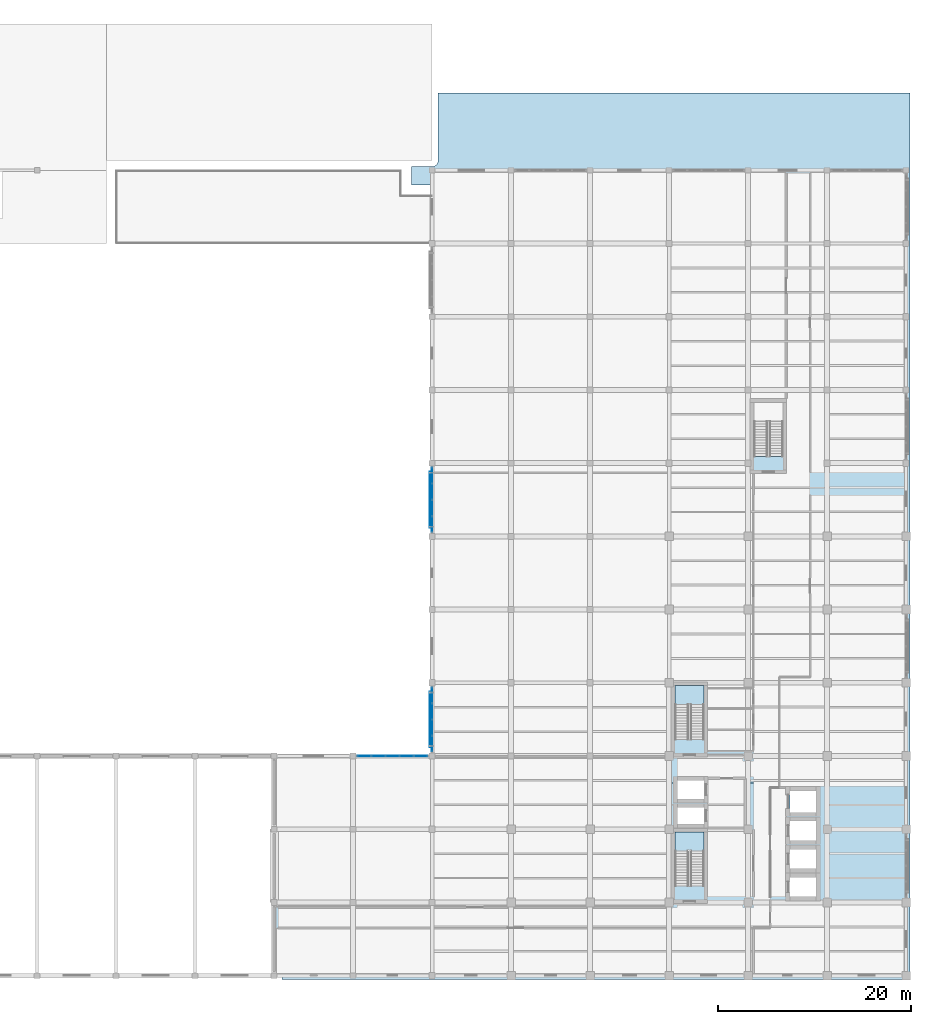
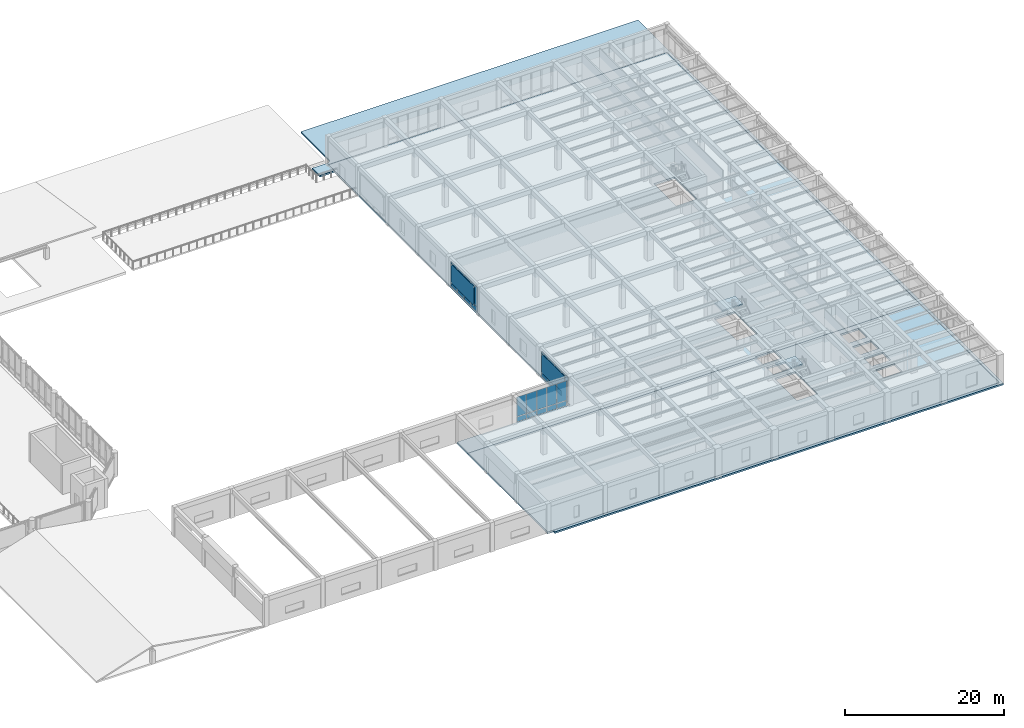
# One storey, part 29 of 49: 28 plates, 5 slabs, 5 elements without a shape of their own.
"""IFC4 building model written with IfcOpenShell, lengths in metres."""

import ifcopenshell
import ifcopenshell.guid

model = None  # the IFC model being written
_history = None  # IfcOwnerHistory: only IFC2X3 demands one
_inside = {}  # id of a spatial element -> (the spatial element, [elements in it])
_under = {}  # id of a project, library or spatial element -> (it, [spatial elements below it])
_declared = {}  # id of a project -> (the project, [libraries it declares])
_typed = {}  # id of a type object -> (the type object, [elements of that type])
_made_of = {}  # id of a material, layer set ... -> (it, [elements and type objects made of it])


def new_model(schema):
    """Start an empty IFC model of exactly this schema.

    Asked for "IFC4X3", IfcOpenShell would pick the latest addendum, in which some entities
    have other attributes; the version numbers below select the first issue.
    IFC2X3 requires an IfcOwnerHistory on every rooted entity: one is made here for all.
    """
    global model, _history
    if schema == "IFC4X3":
        model = ifcopenshell.file(schema_version=(4, 3, 0, 0))
    else:
        model = ifcopenshell.file(schema=schema)
    _inside.clear()
    _under.clear()
    _declared.clear()
    _typed.clear()
    _made_of.clear()
    _history = None
    if model.schema == "IFC2X3":
        org = make("IfcOrganization", Name="unknown")
        user = make(
            "IfcPersonAndOrganization",
            ThePerson=make("IfcPerson", FamilyName="unknown"),
            TheOrganization=org,
        )
        app = make(
            "IfcApplication",
            ApplicationDeveloper=org,
            Version="unknown",
            ApplicationFullName="unknown",
            ApplicationIdentifier="unknown",
        )
        _history = make(
            "IfcOwnerHistory",
            OwningUser=user,
            OwningApplication=app,
            ChangeAction="ADDED",
            CreationDate=0,
        )
    return model


def make(cls, **values):
    """One entity of the class cls with the attributes given. An attribute that is None is left unset."""
    return model.create_entity(
        cls, **{name: value for name, value in values.items() if value is not None}
    )


def rooted(cls, **values):
    """An entity with a GlobalId (a new one), such as an element, a storey or a relation."""
    return make(cls, GlobalId=ifcopenshell.guid.new(), OwnerHistory=_history, **values)


def si_unit(unit_type, name, prefix=None):
    """IfcSIUnit, for example si_unit("LENGTHUNIT", "METRE", prefix="MILLI")."""
    return make("IfcSIUnit", UnitType=unit_type, Prefix=prefix, Name=name)


def assignment(units):
    """IfcUnitAssignment: the units of a project."""
    return None if units is None else make("IfcUnitAssignment", Units=units)


def point(xyz):
    """IfcCartesianPoint."""
    return None if xyz is None else make("IfcCartesianPoint", Coordinates=xyz)


def direction(xyz):
    """IfcDirection."""
    return None if xyz is None else make("IfcDirection", DirectionRatios=xyz)


def frame(location, z_axis=None, x_axis=None):
    """IfcAxis2Placement3D, a coordinate frame: its origin and axes. An axis left out is left unset."""
    return make(
        "IfcAxis2Placement3D",
        Location=point(location),
        Axis=direction(z_axis),
        RefDirection=direction(x_axis),
    )


def frame_2d(location, x_axis=None):
    """IfcAxis2Placement2D, a coordinate frame in the plane: its origin and x axis."""
    return make(
        "IfcAxis2Placement2D", Location=point(location), RefDirection=direction(x_axis)
    )


def origin():
    """The frame at (0, 0, 0) with its axes left unset."""
    return frame((0.0, 0.0, 0.0))


def origin_2d():
    """The frame at (0, 0) in the plane with its x axis left unset."""
    return frame_2d((0.0, 0.0))


def place(relative_to, where):
    """IfcLocalPlacement: puts the frame where relative to a parent placement (None: the world)."""
    return make(
        "IfcLocalPlacement", PlacementRelTo=relative_to, RelativePlacement=where
    )


def context(
    kind, dimensions, precision=None, world=None, true_north=None, identifier=None
):
    """IfcGeometricRepresentationContext, for example the 3D "Model" context."""
    return make(
        "IfcGeometricRepresentationContext",
        ContextIdentifier=identifier,
        ContextType=kind,
        CoordinateSpaceDimension=dimensions,
        Precision=precision,
        WorldCoordinateSystem=world,
        TrueNorth=true_north,
    )


def subcontext(parent, identifier, kind, view, scale=None):
    """IfcGeometricRepresentationSubContext, for example "Body" below "Model"."""
    return make(
        "IfcGeometricRepresentationSubContext",
        ContextIdentifier=identifier,
        ContextType=kind,
        ParentContext=parent,
        TargetScale=scale,
        TargetView=view,
    )


def project(units=None, contexts=None):
    """IfcProject with its units and contexts."""
    return rooted(
        "IfcProject",
        Name="project",
        RepresentationContexts=contexts,
        UnitsInContext=assignment(units),
    )


def spatial(cls, under=None, at=None, **own):
    """A site, building, storey or space (cls), placed at a placement, below another one or the project."""
    s = rooted(cls, ObjectPlacement=at, **own)
    if under is not None:
        _under.setdefault(under.id(), (under, []))[1].append(s)
    return s


def polyline(points):
    """IfcPolyline through the points."""
    return make("IfcPolyline", Points=[point(p) for p in points])


def profile(cls, at=None, kind="AREA", **sizes):
    """A parametric profile (cls). Its sizes go by their IFC names, for example OverallWidth=200.0."""
    return make(cls, ProfileType=kind, Position=at, **sizes)


def rectangle(**sizes):
    """IfcRectangleProfileDef."""
    return profile("IfcRectangleProfileDef", **sizes)


def outline(outer, holes=None, kind="AREA"):
    """IfcArbitraryClosedProfileDef: a profile drawn as a closed curve; with holes, ...WithVoids."""
    if holes is None:
        return make("IfcArbitraryClosedProfileDef", ProfileType=kind, OuterCurve=outer)
    return make(
        "IfcArbitraryProfileDefWithVoids",
        ProfileType=kind,
        OuterCurve=outer,
        InnerCurves=holes,
    )


def extrude(swept, where, along, depth):
    """IfcExtrudedAreaSolid: the profile swept, set in the frame where, extruded along a direction by depth."""
    return make(
        "IfcExtrudedAreaSolid",
        SweptArea=swept,
        Position=where,
        ExtrudedDirection=direction(along),
        Depth=depth,
    )


def shape(context_of_items, identifier, shape_type, items):
    """IfcShapeRepresentation: the items that make up one representation, for example the "Body"."""
    return make(
        "IfcShapeRepresentation",
        ContextOfItems=context_of_items,
        RepresentationIdentifier=identifier,
        RepresentationType=shape_type,
        Items=items,
    )


def material(Name=None, Category=None):
    """IfcMaterial."""
    return make("IfcMaterial", Name=Name, Category=Category)


def layer(
    of_material, thickness, ventilated=None, Name=None, Category=None, Priority=None
):
    """IfcMaterialLayer: one layer of a wall or slab, of a material (None: an air gap)."""
    return make(
        "IfcMaterialLayer",
        Material=of_material,
        LayerThickness=thickness,
        IsVentilated=ventilated,
        Name=Name,
        Category=Category,
        Priority=Priority,
    )


def layer_set(layers, Name=None):
    """IfcMaterialLayerSet."""
    return make("IfcMaterialLayerSet", MaterialLayers=layers, LayerSetName=Name)


def made_of(thing, what):
    """Note that an element or type object is made of a material, layer set ...; save() writes the relation."""
    if what is not None:
        _made_of.setdefault(what.id(), (what, []))[1].append(thing)
    return thing


def type_object(cls, material=None, **own):
    """A type object (cls), such as IfcWallType, which elements share."""
    return made_of(rooted(cls, **own), material)


def element(
    cls,
    number,
    at=None,
    inside=None,
    cuts=None,
    type_object=None,
    material=None,
    context=None,
    identifier="Body",
    shape_type=None,
    held_by="IfcProductDefinitionShape",
    body=None,
    shapes=None,
    **own,
):
    """One element of the class cls, such as IfcWall. Its Tag is "e" and its number.

    at: its placement. inside: the storey or other place that contains it. cuts: it is an
    opening in that element (IfcRelVoidsElement). A single representation is given by context,
    identifier, shape_type and body (its items); several are given by shapes. held_by: the class
    of the entity that holds the representations. save() writes the other relations.
    """
    e = rooted(cls, Tag="e%d" % number, ObjectPlacement=at, **own)
    if body is not None:
        shapes = [shape(context, identifier, shape_type, body)]
    if shapes is not None:
        e.Representation = make(held_by, Representations=shapes)
    if inside is not None:
        _inside.setdefault(inside.id(), (inside, []))[1].append(e)
    if cuts is not None:
        rooted(
            "IfcRelVoidsElement", RelatingBuildingElement=cuts, RelatedOpeningElement=e
        )
    if type_object is not None:
        _typed.setdefault(type_object.id(), (type_object, []))[1].append(e)
    return made_of(e, material)


def aggregate(whole, parts):
    """IfcRelAggregates: a whole, such as a stair, and the parts it consists of."""
    return rooted("IfcRelAggregates", RelatingObject=whole, RelatedObjects=parts)


def save(model, path):
    """Write the relations noted so far, then the file.

    IfcRelAggregates (storeys below a building ...), IfcRelContainedInSpatialStructure (elements
    in a storey), IfcRelDefinesByType, IfcRelAssociatesMaterial and IfcRelDeclares: one each for
    every whole, place, type object, material and project.
    """
    for whole, parts in _under.values():
        aggregate(whole, parts)
    for where, things in _inside.values():
        rooted(
            "IfcRelContainedInSpatialStructure",
            RelatedElements=things,
            RelatingStructure=where,
        )
    for kind, things in _typed.values():
        rooted("IfcRelDefinesByType", RelatedObjects=things, RelatingType=kind)
    for what, things in _made_of.values():
        rooted("IfcRelAssociatesMaterial", RelatedObjects=things, RelatingMaterial=what)
    for by, libraries in _declared.values():
        rooted("IfcRelDeclares", RelatingContext=by, RelatedDefinitions=libraries)
    model.write(path)


model = new_model("IFC4")

# Units and contexts
model_context = context("Model", 3, precision=1e-05, world=origin(), true_north=direction((0.0, 1.0)))
body_context = subcontext(model_context, "Body", "Model", "MODEL_VIEW")
ifc_project = project(units=[si_unit("LENGTHUNIT", "METRE"), si_unit("AREAUNIT", "SQUARE_METRE"), si_unit("VOLUMEUNIT", "CUBIC_METRE"), si_unit("PLANEANGLEUNIT", "RADIAN"), si_unit("MASSUNIT", "GRAM", prefix="KILO")], contexts=[model_context])

# Site, building, storey
site_placement = place(None, origin())
site = spatial("IfcSite", under=ifc_project, at=site_placement, CompositionType="ELEMENT")
building_placement = place(site_placement, origin())
building = spatial("IfcBuilding", under=site, at=building_placement, Name="Qandaris Square Conservatory and Botanical Centre", CompositionType="ELEMENT")
storey_placement = place(building_placement, frame((0.0, 0.0, 10.199951171875)))
storey = spatial("IfcBuildingStorey", under=building, at=storey_placement, Name="L02", CompositionType="ELEMENT", Elevation=10.199951171875)

# Curtain wall, plates
ifc_material_1 = material(Name="Anodised Aluminium", Category="aluminium")
curtain_wall_type_1 = type_object("IfcCurtainWallType", Name="Unitised Curtain Wall CW-4-680x394", PredefinedType="USERDEFINED", material=ifc_material_1)
curtain_wall_1_placement = place(storey_placement, origin())
curtain_wall_1 = element("IfcCurtainWall", 1, at=curtain_wall_1_placement, inside=storey, type_object=curtain_wall_type_1, Name="Curtain Wall CW-TWR-L02-4-5", ObjectType="GLAZED CURTAIN WALL", PredefinedType="USERDEFINED")
ifc_material_2 = material(Name="Tempered Low-E Glass", Category="glass")
ifc_layer_1 = layer(ifc_material_2, 0.035888671875)
ifc_layer_set_1 = layer_set([ifc_layer_1], Name="Tempered Low-E Glass")
plate_type_1 = type_object("IfcPlateType", Name="Double-Glazed Solar Control Vision Unit 36mm", PredefinedType="CURTAIN_PANEL", material=ifc_layer_set_1)
plate_1_placement = place(storey_placement, frame((114.60009765625, 68.53369140625, 0.065185546875), z_axis=(0.0, 0.0, 1.0), x_axis=(0.0, -1.0, 0.0)))
plate_1 = element("IfcPlate", 2, at=plate_1_placement, type_object=plate_type_1, Name="CW-4-680x394 panel 1.1", PredefinedType="CURTAIN_PANEL", context=body_context, shape_type="SweptSolid", body=[
    extrude(rectangle(XDim=1.6025390625, YDim=0.035888671875, at=origin_2d()), origin(), (0.0, 0.0, 1.0), 0.75244140625),
])
plate_2_placement = place(storey_placement, frame((114.60009765625, 68.53369140625, 0.882568359375), z_axis=(0.0, 0.0, 1.0), x_axis=(0.0, -1.0, 0.0)))
plate_2 = element("IfcPlate", 3, at=plate_2_placement, type_object=plate_type_1, Name="CW-4-680x394 panel 1.2", PredefinedType="CURTAIN_PANEL", context=body_context, shape_type="SweptSolid", body=[
    extrude(rectangle(XDim=1.6025390625, YDim=0.035888671875, at=origin_2d()), origin(), (0.0, 0.0, 1.0), 2.99755859375),
])
plate_3_placement = place(storey_placement, frame((114.60009765625, 66.85009765625, 0.065185546875), z_axis=(0.0, 0.0, 1.0), x_axis=(0.0, -1.0, 0.0)))
plate_3 = element("IfcPlate", 4, at=plate_3_placement, type_object=plate_type_1, Name="CW-4-680x394 panel 2.1", PredefinedType="CURTAIN_PANEL", context=body_context, shape_type="SweptSolid", body=[
    extrude(rectangle(XDim=1.635009765625, YDim=0.035888671875, at=origin_2d()), origin(), (0.0, 0.0, 1.0), 0.75244140625),
])
plate_4_placement = place(storey_placement, frame((114.60009765625, 66.85009765625, 0.882568359375), z_axis=(0.0, 0.0, 1.0), x_axis=(0.0, -1.0, 0.0)))
plate_4 = element("IfcPlate", 5, at=plate_4_placement, type_object=plate_type_1, Name="CW-4-680x394 panel 2.2", PredefinedType="CURTAIN_PANEL", context=body_context, shape_type="SweptSolid", body=[
    extrude(rectangle(XDim=1.635009765625, YDim=0.035888671875, at=origin_2d()), origin(), (0.0, 0.0, 1.0), 2.99755859375),
])
plate_5_placement = place(storey_placement, frame((114.60009765625, 65.14990234375, 0.065185546875), z_axis=(0.0, 0.0, 1.0), x_axis=(0.0, -1.0, 0.0)))
plate_5 = element("IfcPlate", 6, at=plate_5_placement, type_object=plate_type_1, Name="CW-4-680x394 panel 3.1", PredefinedType="CURTAIN_PANEL", context=body_context, shape_type="SweptSolid", body=[
    extrude(rectangle(XDim=1.635009765625, YDim=0.035888671875, at=origin_2d()), origin(), (0.0, 0.0, 1.0), 0.75244140625),
])
plate_6_placement = place(storey_placement, frame((114.60009765625, 65.14990234375, 0.882568359375), z_axis=(0.0, 0.0, 1.0), x_axis=(0.0, -1.0, 0.0)))
plate_6 = element("IfcPlate", 7, at=plate_6_placement, type_object=plate_type_1, Name="CW-4-680x394 panel 3.2", PredefinedType="CURTAIN_PANEL", context=body_context, shape_type="SweptSolid", body=[
    extrude(rectangle(XDim=1.635009765625, YDim=0.035888671875, at=origin_2d()), origin(), (0.0, 0.0, 1.0), 2.99755859375),
])
plate_7_placement = place(storey_placement, frame((114.60009765625, 63.46630859375, 0.065185546875), z_axis=(0.0, 0.0, 1.0), x_axis=(0.0, -1.0, 0.0)))
plate_7 = element("IfcPlate", 8, at=plate_7_placement, type_object=plate_type_1, Name="CW-4-680x394 panel 4.1", PredefinedType="CURTAIN_PANEL", context=body_context, shape_type="SweptSolid", body=[
    extrude(rectangle(XDim=1.6025390625, YDim=0.035888671875, at=origin_2d()), origin(), (0.0, 0.0, 1.0), 0.75244140625),
])
plate_8_placement = place(storey_placement, frame((114.60009765625, 63.46630859375, 0.882568359375), z_axis=(0.0, 0.0, 1.0), x_axis=(0.0, -1.0, 0.0)))
plate_8 = element("IfcPlate", 9, at=plate_8_placement, type_object=plate_type_1, Name="CW-4-680x394 panel 4.2", PredefinedType="CURTAIN_PANEL", context=body_context, shape_type="SweptSolid", body=[
    extrude(rectangle(XDim=1.6025390625, YDim=0.035888671875, at=origin_2d()), origin(), (0.0, 0.0, 1.0), 2.99755859375),
])
aggregate(curtain_wall_1, [plate_1, plate_2, plate_3, plate_4, plate_5, plate_6, plate_7, plate_8])

curtain_wall_type_2 = type_object("IfcCurtainWallType", Name="Unitised Curtain Wall CW-4-675x394", PredefinedType="USERDEFINED", material=ifc_material_1)
curtain_wall_2_placement = place(storey_placement, origin())
curtain_wall_2 = element("IfcCurtainWall", 10, at=curtain_wall_2_placement, inside=storey, type_object=curtain_wall_type_2, Name="Curtain Wall CW-TWR-L02-4-8", ObjectType="GLAZED CURTAIN WALL", PredefinedType="USERDEFINED")
plate_9_placement = place(storey_placement, frame((114.60009765625, 45.715087890625, 0.065185546875), z_axis=(0.0, 0.0, 1.0), x_axis=(0.0, -1.0, 0.0)))
plate_9 = element("IfcPlate", 11, at=plate_9_placement, type_object=plate_type_1, Name="CW-4-675x394 panel 1.1", PredefinedType="CURTAIN_PANEL", context=body_context, shape_type="SweptSolid", body=[
    extrude(rectangle(XDim=1.590087890625, YDim=0.035888671875, at=origin_2d()), origin(), (0.0, 0.0, 1.0), 0.75244140625),
])
plate_10_placement = place(storey_placement, frame((114.60009765625, 45.715087890625, 0.882568359375), z_axis=(0.0, 0.0, 1.0), x_axis=(0.0, -1.0, 0.0)))
plate_10 = element("IfcPlate", 12, at=plate_10_placement, type_object=plate_type_1, Name="CW-4-675x394 panel 1.2", PredefinedType="CURTAIN_PANEL", context=body_context, shape_type="SweptSolid", body=[
    extrude(rectangle(XDim=1.590087890625, YDim=0.035888671875, at=origin_2d()), origin(), (0.0, 0.0, 1.0), 2.99755859375),
])
plate_11_placement = place(storey_placement, frame((114.60009765625, 44.043701171875, 0.065185546875), z_axis=(0.0, 0.0, 1.0), x_axis=(0.0, -1.0, 0.0)))
plate_11 = element("IfcPlate", 13, at=plate_11_placement, type_object=plate_type_1, Name="CW-4-675x394 panel 2.1", PredefinedType="CURTAIN_PANEL", context=body_context, shape_type="SweptSolid", body=[
    extrude(rectangle(XDim=1.62255859375, YDim=0.035888671875, at=origin_2d()), origin(), (0.0, 0.0, 1.0), 0.75244140625),
])
plate_12_placement = place(storey_placement, frame((114.60009765625, 44.043701171875, 0.882568359375), z_axis=(0.0, 0.0, 1.0), x_axis=(0.0, -1.0, 0.0)))
plate_12 = element("IfcPlate", 14, at=plate_12_placement, type_object=plate_type_1, Name="CW-4-675x394 panel 2.2", PredefinedType="CURTAIN_PANEL", context=body_context, shape_type="SweptSolid", body=[
    extrude(rectangle(XDim=1.62255859375, YDim=0.035888671875, at=origin_2d()), origin(), (0.0, 0.0, 1.0), 2.99755859375),
])
plate_13_placement = place(storey_placement, frame((114.60009765625, 42.356201171875, 0.065185546875), z_axis=(0.0, 0.0, 1.0), x_axis=(0.0, -1.0, 0.0)))
plate_13 = element("IfcPlate", 15, at=plate_13_placement, type_object=plate_type_1, Name="CW-4-675x394 panel 3.1", PredefinedType="CURTAIN_PANEL", context=body_context, shape_type="SweptSolid", body=[
    extrude(rectangle(XDim=1.62255859375, YDim=0.035888671875, at=origin_2d()), origin(), (0.0, 0.0, 1.0), 0.75244140625),
])
plate_14_placement = place(storey_placement, frame((114.60009765625, 42.356201171875, 0.882568359375), z_axis=(0.0, 0.0, 1.0), x_axis=(0.0, -1.0, 0.0)))
plate_14 = element("IfcPlate", 16, at=plate_14_placement, type_object=plate_type_1, Name="CW-4-675x394 panel 3.2", PredefinedType="CURTAIN_PANEL", context=body_context, shape_type="SweptSolid", body=[
    extrude(rectangle(XDim=1.62255859375, YDim=0.035888671875, at=origin_2d()), origin(), (0.0, 0.0, 1.0), 2.99755859375),
])
plate_15_placement = place(storey_placement, frame((114.60009765625, 40.68505859375, 0.065185546875), z_axis=(0.0, 0.0, 1.0), x_axis=(0.0, -1.0, 0.0)))
plate_15 = element("IfcPlate", 17, at=plate_15_placement, type_object=plate_type_1, Name="CW-4-675x394 panel 4.1", PredefinedType="CURTAIN_PANEL", context=body_context, shape_type="SweptSolid", body=[
    extrude(rectangle(XDim=1.590087890625, YDim=0.035888671875, at=origin_2d()), origin(), (0.0, 0.0, 1.0), 0.75244140625),
])
plate_16_placement = place(storey_placement, frame((114.60009765625, 40.68505859375, 0.882568359375), z_axis=(0.0, 0.0, 1.0), x_axis=(0.0, -1.0, 0.0)))
plate_16 = element("IfcPlate", 18, at=plate_16_placement, type_object=plate_type_1, Name="CW-4-675x394 panel 4.2", PredefinedType="CURTAIN_PANEL", context=body_context, shape_type="SweptSolid", body=[
    extrude(rectangle(XDim=1.590087890625, YDim=0.035888671875, at=origin_2d()), origin(), (0.0, 0.0, 1.0), 2.99755859375),
])
aggregate(curtain_wall_2, [plate_9, plate_10, plate_11, plate_12, plate_13, plate_14, plate_15, plate_16])

curtain_wall_type_3 = type_object("IfcCurtainWallType", Name="Unitised Curtain Wall CW-4-738x394", PredefinedType="USERDEFINED", material=ifc_material_1)
curtain_wall_3_placement = place(storey_placement, origin())
curtain_wall_3 = element("IfcCurtainWall", 19, at=curtain_wall_3_placement, inside=storey, type_object=curtain_wall_type_3, Name="Curtain Wall CW-TWR-L02-5-1", ObjectType="GLAZED CURTAIN WALL", PredefinedType="USERDEFINED")
plate_17_placement = place(storey_placement, frame((113.421142578125, 39.39990234375, 0.065185546875), z_axis=(0.0, 0.0, 1.0), x_axis=(-1.0, 0.0, 0.0)))
plate_17 = element("IfcPlate", 20, at=plate_17_placement, type_object=plate_type_1, Name="CW-4-738x394 panel 1.1", PredefinedType="CURTAIN_PANEL", context=body_context, shape_type="SweptSolid", body=[
    extrude(rectangle(XDim=1.37744140625, YDim=0.035888671875, at=origin_2d()), origin(), (0.0, 0.0, 1.0), 0.75244140625),
])
plate_18_placement = place(storey_placement, frame((113.421142578125, 39.39990234375, 0.882568359375), z_axis=(0.0, 0.0, 1.0), x_axis=(-1.0, 0.0, 0.0)))
plate_18 = element("IfcPlate", 21, at=plate_18_placement, type_object=plate_type_1, Name="CW-4-738x394 panel 1.2", PredefinedType="CURTAIN_PANEL", context=body_context, shape_type="SweptSolid", body=[
    extrude(rectangle(XDim=1.37744140625, YDim=0.035888671875, at=origin_2d()), origin(), (0.0, 0.0, 1.0), 2.99755859375),
])
plate_19_placement = place(storey_placement, frame((111.96240234375, 39.39990234375, 0.065185546875), z_axis=(0.0, 0.0, 1.0), x_axis=(-1.0, 0.0, 0.0)))
plate_19 = element("IfcPlate", 22, at=plate_19_placement, type_object=plate_type_1, Name="CW-4-738x394 panel 2.1", PredefinedType="CURTAIN_PANEL", context=body_context, shape_type="SweptSolid", body=[
    extrude(rectangle(XDim=1.409912109375, YDim=0.035888671875, at=origin_2d()), origin(), (0.0, 0.0, 1.0), 0.75244140625),
])
plate_20_placement = place(storey_placement, frame((111.96240234375, 39.39990234375, 0.882568359375), z_axis=(0.0, 0.0, 1.0), x_axis=(-1.0, 0.0, 0.0)))
plate_20 = element("IfcPlate", 23, at=plate_20_placement, type_object=plate_type_1, Name="CW-4-738x394 panel 2.2", PredefinedType="CURTAIN_PANEL", context=body_context, shape_type="SweptSolid", body=[
    extrude(rectangle(XDim=1.409912109375, YDim=0.035888671875, at=origin_2d()), origin(), (0.0, 0.0, 1.0), 2.99755859375),
])
plate_21_placement = place(storey_placement, frame((110.487548828125, 39.39990234375, 0.065185546875), z_axis=(0.0, 0.0, 1.0), x_axis=(-1.0, 0.0, 0.0)))
plate_21 = element("IfcPlate", 24, at=plate_21_placement, type_object=plate_type_1, Name="CW-4-738x394 panel 3.1", PredefinedType="CURTAIN_PANEL", context=body_context, shape_type="SweptSolid", body=[
    extrude(rectangle(XDim=1.409912109375, YDim=0.035888671875, at=origin_2d()), origin(), (0.0, 0.0, 1.0), 0.75244140625),
])
plate_22_placement = place(storey_placement, frame((110.487548828125, 39.39990234375, 0.882568359375), z_axis=(0.0, 0.0, 1.0), x_axis=(-1.0, 0.0, 0.0)))
plate_22 = element("IfcPlate", 25, at=plate_22_placement, type_object=plate_type_1, Name="CW-4-738x394 panel 3.2", PredefinedType="CURTAIN_PANEL", context=body_context, shape_type="SweptSolid", body=[
    extrude(rectangle(XDim=1.409912109375, YDim=0.035888671875, at=origin_2d()), origin(), (0.0, 0.0, 1.0), 2.99755859375),
])
plate_23_placement = place(storey_placement, frame((109.012451171875, 39.39990234375, 0.065185546875), z_axis=(0.0, 0.0, 1.0), x_axis=(-1.0, 0.0, 0.0)))
plate_23 = element("IfcPlate", 26, at=plate_23_placement, type_object=plate_type_1, Name="CW-4-738x394 panel 4.1", PredefinedType="CURTAIN_PANEL", context=body_context, shape_type="SweptSolid", body=[
    extrude(rectangle(XDim=1.409912109375, YDim=0.035888671875, at=origin_2d()), origin(), (0.0, 0.0, 1.0), 0.75244140625),
])
plate_24_placement = place(storey_placement, frame((109.012451171875, 39.39990234375, 0.882568359375), z_axis=(0.0, 0.0, 1.0), x_axis=(-1.0, 0.0, 0.0)))
plate_24 = element("IfcPlate", 27, at=plate_24_placement, type_object=plate_type_1, Name="CW-4-738x394 panel 4.2", PredefinedType="CURTAIN_PANEL", context=body_context, shape_type="SweptSolid", body=[
    extrude(rectangle(XDim=1.409912109375, YDim=0.035888671875, at=origin_2d()), origin(), (0.0, 0.0, 1.0), 2.99755859375),
])
plate_25_placement = place(storey_placement, frame((107.5537109375, 39.39990234375, 0.065185546875), z_axis=(0.0, 0.0, 1.0), x_axis=(-1.0, 0.0, 0.0)))
plate_25 = element("IfcPlate", 28, at=plate_25_placement, type_object=plate_type_1, Name="CW-4-738x394 panel 5.1", PredefinedType="CURTAIN_PANEL", context=body_context, shape_type="SweptSolid", body=[
    extrude(rectangle(XDim=1.37744140625, YDim=0.035888671875, at=origin_2d()), origin(), (0.0, 0.0, 1.0), 0.75244140625),
])
plate_26_placement = place(storey_placement, frame((107.5537109375, 39.39990234375, 0.882568359375), z_axis=(0.0, 0.0, 1.0), x_axis=(-1.0, 0.0, 0.0)))
plate_26 = element("IfcPlate", 29, at=plate_26_placement, type_object=plate_type_1, Name="CW-4-738x394 panel 5.2", PredefinedType="CURTAIN_PANEL", context=body_context, shape_type="SweptSolid", body=[
    extrude(rectangle(XDim=1.37744140625, YDim=0.035888671875, at=origin_2d()), origin(), (0.0, 0.0, 1.0), 2.99755859375),
])
aggregate(curtain_wall_3, [plate_17, plate_18, plate_19, plate_20, plate_21, plate_22, plate_23, plate_24, plate_25, plate_26])

# Plates
ifc_material_3 = material(Name="Weathering Bronze Alloy", Category="metal")
ifc_layer_2 = layer(ifc_material_3, 0.044921875)
ifc_layer_set_2 = layer_set([ifc_layer_2], Name="Weathering Bronze Alloy")
plate_type_2 = type_object("IfcPlateType", Name="Perforated Bronze Mashrabiya Solar Screen Panel", PredefinedType="USERDEFINED", material=ifc_layer_set_2)
plate_27_placement = place(storey_placement, frame((114.3798828125, 66.0, 0.8798828125), z_axis=(0.0, 0.0, 1.0), x_axis=(0.0, -1.0, 0.0)))
element("IfcPlate", 30, at=plate_27_placement, inside=storey, type_object=plate_type_2, Name="Mashrabiya Solar Screen CW-TWR-L02-4-5", ObjectType="SOLAR SCREEN", PredefinedType="USERDEFINED", context=body_context, shape_type="SweptSolid", body=[
    extrude(rectangle(XDim=5.840087890625, YDim=0.044921875, at=origin_2d()), origin(), (0.0, 0.0, 1.0), 2.97509765625),
])
plate_28_placement = place(storey_placement, frame((114.3798828125, 43.199951171875, 0.8798828125), z_axis=(0.0, 0.0, 1.0), x_axis=(0.0, -1.0, 0.0)))
element("IfcPlate", 31, at=plate_28_placement, inside=storey, type_object=plate_type_2, Name="Mashrabiya Solar Screen CW-TWR-L02-4-8", ObjectType="SOLAR SCREEN", PredefinedType="USERDEFINED", context=body_context, shape_type="SweptSolid", body=[
    extrude(rectangle(XDim=5.7900390625, YDim=0.044921875, at=origin_2d()), origin(), (0.0, 0.0, 1.0), 2.97509765625),
])

# Slab
ifc_material_4 = material(Name="Concrete C40/50", Category="concrete")
ifc_layer_3 = layer(ifc_material_4, 0.2548828125)
ifc_layer_set_3 = layer_set([ifc_layer_3], Name="Concrete C40/50")
slab_type_1 = type_object("IfcSlabType", Name="RC Flat Roof Slab 255mm", PredefinedType="ROOF", material=ifc_layer_set_3)
slab_1_placement = place(storey_placement, frame((0.0, 0.0, -0.2548828125)))
element("IfcSlab", 32, at=slab_1_placement, inside=storey, type_object=slab_type_1, Name="Step-Back Flat Roof Slab L02-1", PredefinedType="ROOF", context=body_context, shape_type="SweptSolid", body=[
    extrude(outline(polyline([(164.219970703125, 16.179931640625), (99.02001953125, 16.179931640625), (99.02001953125, 16.580078125), (163.820068359375, 16.580078125), (163.820068359375, 100.219970703125), (114.580078125, 100.219970703125), (114.580078125, 98.669921875), (112.469970703125, 98.669921875), (112.469970703125, 100.580078125), (114.6005859375, 100.580078125), (114.720947265625, 100.591796875), (114.892333984375, 100.6533203125), (115.038330078125, 100.76171875), (115.146728515625, 100.90771484375), (115.193359375, 101.02001953125), (115.219970703125, 101.199462890625), (115.219970703125, 108.219970703125), (164.219970703125, 108.219970703125), (164.219970703125, 16.179931640625)])), origin(), (0.0, 0.0, 1.0), 0.2548828125),
])

# Stair, slab
stair_type = type_object("IfcStairType", Name="Core Escape Scissor Stair", PredefinedType="HALF_TURN_STAIR", material=ifc_material_4)
stair_1_placement = place(storey_placement, origin())
stair_1 = element("IfcStair", 33, at=stair_1_placement, inside=storey, type_object=stair_type, Name="L02 Tower South Exit Stair ST-1", PredefinedType="HALF_TURN_STAIR")
ifc_layer_4 = layer(ifc_material_4, 0.219970703125)
ifc_layer_set_4 = layer_set([ifc_layer_4], Name="Concrete C40/50")
slab_type_2 = type_object("IfcSlabType", Name="RC Stair Half-Landing Slab 220mm", PredefinedType="LANDING", material=ifc_layer_set_4)
slab_2_placement = place(storey_placement, frame((0.0, 0.0, 2.199951171875)))
slab_2 = element("IfcSlab", 34, at=slab_2_placement, type_object=slab_type_2, Name="ST-1 landing 1", PredefinedType="LANDING", context=body_context, shape_type="SweptSolid", body=[
    extrude(outline(polyline([(142.800048828125, 29.5400390625), (142.800048828125, 31.5), (139.800048828125, 31.5), (139.800048828125, 29.5400390625), (142.800048828125, 29.5400390625)])), origin(), (0.0, 0.0, 1.0), 0.2001953125),
])
aggregate(stair_1, [slab_2])

stair_2_placement = place(storey_placement, origin())
stair_2 = element("IfcStair", 35, at=stair_2_placement, inside=storey, type_object=stair_type, Name="L02 Tower North Exit Stair ST-2", PredefinedType="HALF_TURN_STAIR")
slab_3_placement = place(storey_placement, frame((0.0, 0.0, 2.199951171875)))
slab_3 = element("IfcSlab", 36, at=slab_3_placement, type_object=slab_type_2, Name="ST-2 landing 1", PredefinedType="LANDING", context=body_context, shape_type="SweptSolid", body=[
    extrude(outline(polyline([(142.800048828125, 44.739990234375), (142.800048828125, 46.699951171875), (139.800048828125, 46.699951171875), (139.800048828125, 44.739990234375), (142.800048828125, 44.739990234375)])), origin(), (0.0, 0.0, 1.0), 0.2001953125),
])
aggregate(stair_2, [slab_3])

# Slabs
ifc_layer_5 = layer(ifc_material_4, 0.280029296875)
ifc_layer_set_5 = layer_set([ifc_layer_5], Name="Concrete C40/50")
slab_type_3 = type_object("IfcSlabType", Name="RC Structural Slab 280mm", PredefinedType="FLOOR", material=ifc_layer_set_5)
slab_4_placement = place(storey_placement, frame((0.0, 0.0, -0.280029296875)))
element("IfcSlab", 37, at=slab_4_placement, inside=storey, type_object=slab_type_3, Name="L02 Structural Slab V4L02", PredefinedType="FLOOR", context=body_context, shape_type="SweptSolid", body=[
    extrude(outline(polyline([(163.800048828125, 16.60009765625), (98.199951171875, 16.60009765625), (98.199951171875, 36.60009765625), (140.06005859375, 36.60009765625), (140.06005859375, 34.9599609375), (142.800048828125, 34.9599609375), (142.800048828125, 36.60009765625), (163.800048828125, 36.60009765625), (163.800048828125, 16.60009765625)]), holes=[polyline([(139.800048828125, 25.89990234375), (142.800048828125, 25.89990234375), (142.800048828125, 31.5), (139.800048828125, 31.5), (139.800048828125, 25.89990234375)]), polyline([(140.06005859375, 32.360107421875), (142.800048828125, 32.360107421875), (142.800048828125, 34.0400390625), (140.06005859375, 34.0400390625), (140.06005859375, 32.360107421875)]), polyline([(151.75, 26.800048828125), (151.75, 24.800048828125), (154.449951171875, 24.800048828125), (154.449951171875, 26.800048828125), (151.75, 26.800048828125)]), polyline([(151.75, 29.719970703125), (151.75, 27.719970703125), (154.449951171875, 27.719970703125), (154.449951171875, 29.719970703125), (151.75, 29.719970703125)]), polyline([(151.75, 30.639892578125), (154.449951171875, 30.639892578125), (154.449951171875, 32.639892578125), (151.75, 32.639892578125), (151.75, 30.639892578125)]), polyline([(151.75, 35.760009765625), (151.75, 33.56005859375), (154.449951171875, 33.56005859375), (154.449951171875, 35.760009765625), (151.75, 35.760009765625)])]), origin(), (0.0, 0.0, 1.0), 0.280029296875),
])
slab_5_placement = place(storey_placement, frame((0.0, 0.0, -0.280029296875)))
element("IfcSlab", 38, at=slab_5_placement, inside=storey, type_object=slab_type_3, Name="L02 Structural Slab V4L02", PredefinedType="FLOOR", context=body_context, shape_type="SweptSolid", body=[
    extrude(outline(polyline([(114.60009765625, 39.39990234375), (114.60009765625, 100.199951171875), (163.800048828125, 100.199951171875), (163.800048828125, 36.60009765625), (142.800048828125, 36.60009765625), (142.800048828125, 36.840087890625), (140.06005859375, 36.840087890625), (140.06005859375, 36.60009765625), (98.199951171875, 36.60009765625), (98.199951171875, 39.39990234375), (114.60009765625, 39.39990234375)]), holes=[polyline([(139.800048828125, 46.699951171875), (139.800048828125, 41.10009765625), (142.800048828125, 41.10009765625), (142.800048828125, 46.699951171875), (139.800048828125, 46.699951171875)]), polyline([(148.0, 76.10009765625), (148.0, 70.5), (151.0, 70.5), (151.0, 76.10009765625), (148.0, 76.10009765625)])]), origin(), (0.0, 0.0, 1.0), 0.280029296875),
])

save(model, "model.ifc")
